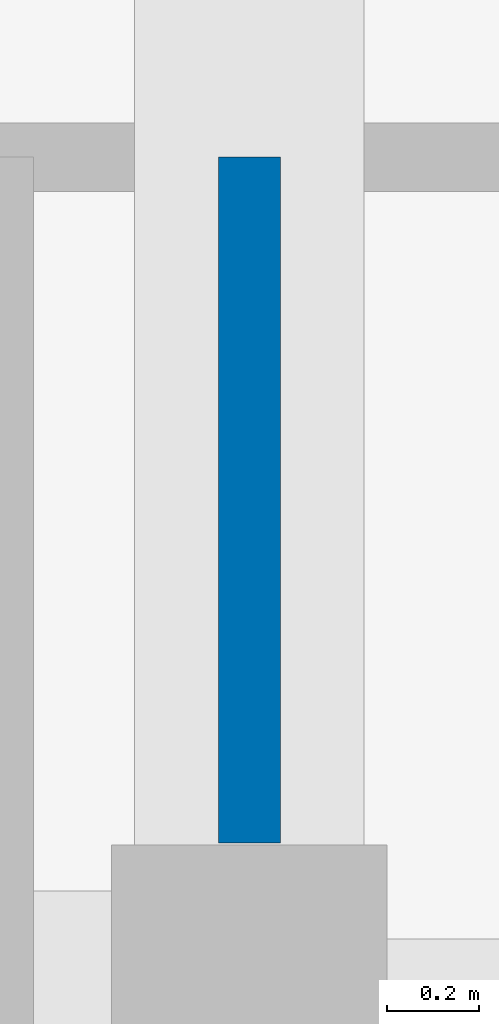
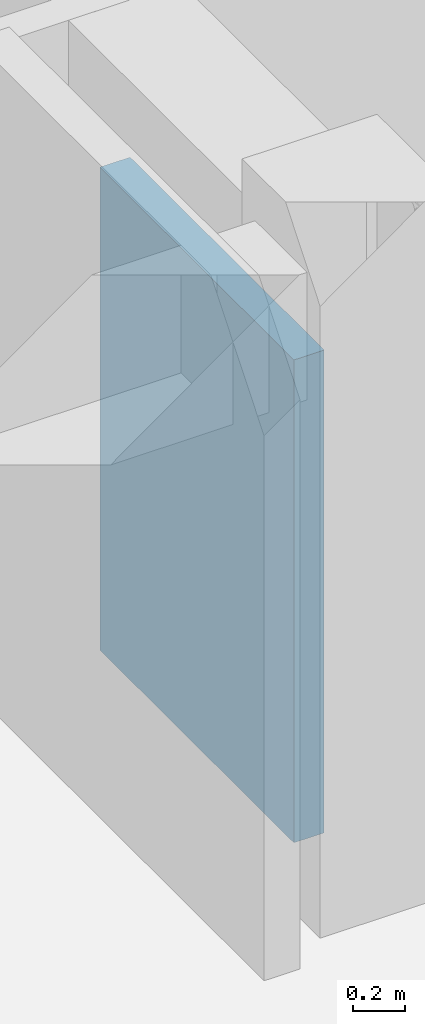
# One storey, part 11 of 21: 1 wall.
"""IFC4 building model written with IfcOpenShell, lengths in metres."""

from ifc_helpers import new_model, si_unit, direction, frame, frame_2d, origin, place, context, subcontext, project, spatial, rectangle, extrude, material, layer, layer_set, type_object, element, save


model = new_model("IFC4")

# Units and contexts
model_context = context("Model", 3, precision=1e-05, world=origin(), true_north=direction((0.0, 1.0)))
body_context = subcontext(model_context, "Body", "Model", "MODEL_VIEW")
ifc_project = project(units=[si_unit("LENGTHUNIT", "METRE"), si_unit("AREAUNIT", "SQUARE_METRE"), si_unit("VOLUMEUNIT", "CUBIC_METRE"), si_unit("PLANEANGLEUNIT", "RADIAN"), si_unit("MASSUNIT", "GRAM", prefix="KILO"), si_unit("THERMODYNAMICTEMPERATUREUNIT", "KELVIN"), si_unit("POWERUNIT", "WATT")], contexts=[model_context])

# Site, building, storey
site_placement = place(None, origin())
site = spatial("IfcSite", under=ifc_project, at=site_placement, CompositionType="ELEMENT")
building_placement = place(site_placement, origin())
building = spatial("IfcBuilding", under=site, at=building_placement, Name="Phaisarnlok Congress Hotel", CompositionType="ELEMENT")
storey_placement = place(building_placement, frame((0.0, 0.0, 31.5)))
storey = spatial("IfcBuildingStorey", under=building, at=storey_placement, Name="L07", CompositionType="ELEMENT", Elevation=31.5)

# Wall
ifc_material = material(Name="Moisture-Resistant Gypsum Partition", Category="gypsum")
ifc_layer = layer(ifc_material, 0.135009765625, Name="Moisture-Resistant Gypsum Partition")
ifc_layer_set = layer_set([ifc_layer], Name="Moisture-Resistant Gypsum Partition")
wall_type = type_object("IfcWallType", Name="WL-INT-135", PredefinedType="PARTITIONING", material=ifc_layer_set)
wall_placement = place(storey_placement, frame((120.0, 114.304931640625, 0.0), z_axis=(0.0, 0.0, 1.0), x_axis=(0.0, 1.0, 0.0)))
element("IfcWall", 1, at=wall_placement, inside=storey, type_object=wall_type, Name="Interior partition wall IW-06 (L07)", PredefinedType="PARTITIONING", context=body_context, shape_type="SweptSolid", body=[
    extrude(rectangle(XDim=1.4951171875, YDim=0.135009765625, at=frame_2d((0.74755859375, 0.0))), origin(), (0.0, 0.0, 1.0), 2.27001953125),
])

save(model, "model.ifc")
